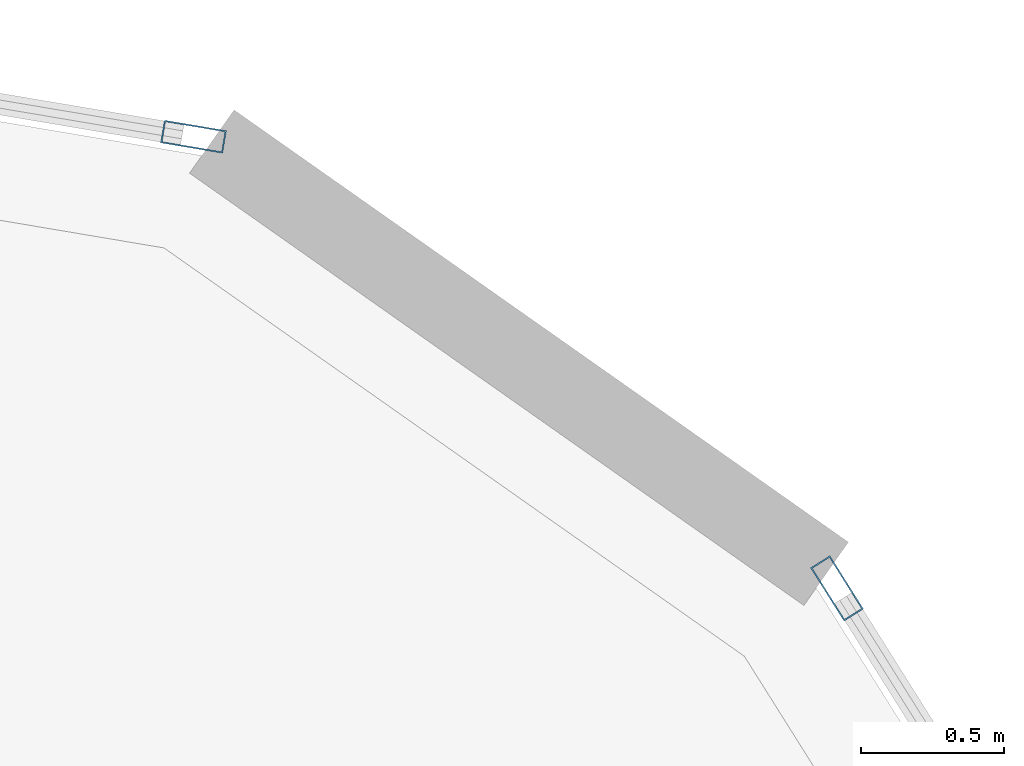
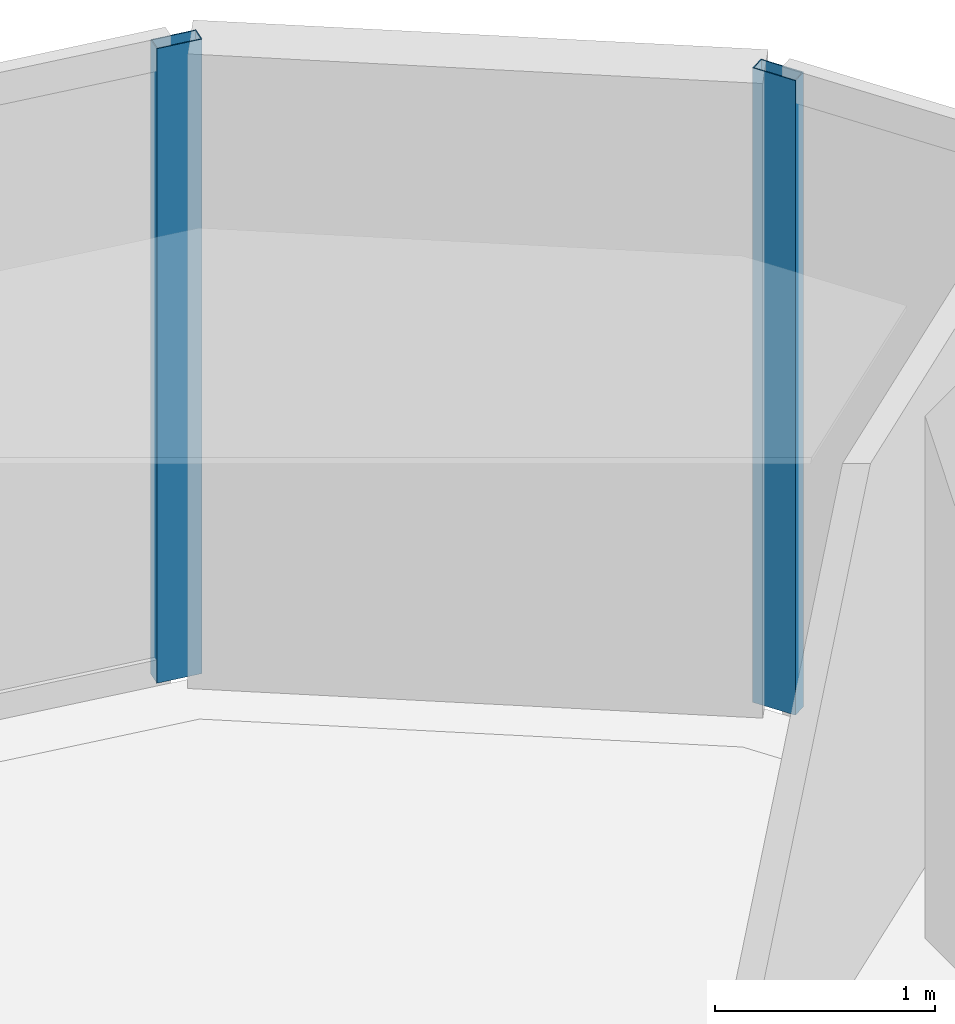
# One storey, part 15 of 21: 2 members, 2 elements without a shape of their own.
"""IFC4 building model written with IfcOpenShell, lengths in metres."""

from ifc_helpers import new_model, si_unit, direction, frame, origin, origin_2d, place, context, subcontext, project, spatial, hollow_rectangle, extrude, source, transform, mapped, material, layer, layer_set, material_profile, profile_set, type_object, type_shapes, element, aggregate, save


model = new_model("IFC4")

# Units and contexts
model_context = context("Model", 3, precision=1e-05, world=origin(), true_north=direction((0.0, 1.0)))
body_context = subcontext(model_context, "Body", "Model", "MODEL_VIEW")
ifc_project = project(units=[si_unit("LENGTHUNIT", "METRE"), si_unit("AREAUNIT", "SQUARE_METRE"), si_unit("VOLUMEUNIT", "CUBIC_METRE"), si_unit("PLANEANGLEUNIT", "RADIAN"), si_unit("MASSUNIT", "GRAM", prefix="KILO")], contexts=[model_context])

# Site, building, storey
site_placement = place(None, origin())
site = spatial("IfcSite", under=ifc_project, at=site_placement, CompositionType="ELEMENT")
building_placement = place(site_placement, origin())
building = spatial("IfcBuilding", under=site, at=building_placement, Name="Talar Marvaseh", CompositionType="ELEMENT")
storey_placement = place(building_placement, frame((0.0, 0.0, 62.0)))
storey = spatial("IfcBuildingStorey", under=building, at=storey_placement, Name="L15", CompositionType="ELEMENT", Elevation=62.0)

# Curtain wall, member
ifc_material = material(Name="Architectural Aluminium", Category="aluminium")
ifc_layer = layer(ifc_material, 0.219970703125)
ifc_layer_set = layer_set([ifc_layer], Name="Architectural Aluminium")
curtain_wall_type = type_object("IfcCurtainWallType", Name="Unitised Low-E Museum Curtain Wall Z1", PredefinedType="NOTDEFINED", material=ifc_layer_set)
curtain_wall_1_placement = place(storey_placement, origin())
curtain_wall_1 = element("IfcCurtainWall", 1, at=curtain_wall_1_placement, inside=storey, type_object=curtain_wall_type, Name="L15 Unitised Low-E Museum Curtain Wall Z1", PredefinedType="NOTDEFINED")
ifc_material_profile = material_profile(ifc_material, hollow_rectangle(XDim=0.080078125, YDim=0.219970703125, WallThickness=0.0048828125, at=origin_2d()), Name="RHS220x80x5")
ifc_profile_set = profile_set([ifc_material_profile], Name="Architectural Aluminium")
member_type = type_object("IfcMemberType", Name="Unitised Curtain Wall Heavy Mullion RHS220x80x5", PredefinedType="MULLION", material=ifc_profile_set)
shared_shape = source(origin(), body_context, "Body", "SweptSolid", [
    extrude(hollow_rectangle(XDim=0.080078125, YDim=0.219970703125, WallThickness=0.0048828125, at=origin_2d()), origin(), (0.0, 0.0, 1.0), 3.52001953125),
])
type_shapes(member_type, [shared_shape])
member_1_placement = place(storey_placement, frame((39.879638671875, 44.487548828125, 0.0), z_axis=(0.0, 0.0, 1.0), x_axis=(0.166215185742, 0.98608950508, 0.0)))
member_1 = element("IfcMember", 2, at=member_1_placement, type_object=member_type, Name="CW-Z1 mullion 5", PredefinedType="MULLION", context=body_context, shape_type="MappedRepresentation", body=[
    mapped(shared_shape, transform((0.0, 0.0, 0.0), x_axis=(1.0, 0.0, 0.0), y_axis=(0.0, 1.0, 0.0), z_axis=(0.0, 0.0, 1.0), scale=1.0)),
])
aggregate(curtain_wall_1, [member_1])

curtain_wall_2_placement = place(storey_placement, origin())
curtain_wall_2 = element("IfcCurtainWall", 3, at=curtain_wall_2_placement, inside=storey, type_object=curtain_wall_type, Name="L15 Unitised Low-E Museum Curtain Wall Z1", PredefinedType="NOTDEFINED")
member_2_placement = place(storey_placement, frame((42.126708984375, 42.91015625, 0.0), z_axis=(0.0, 0.0, 1.0), x_axis=(0.846622049872, 0.532194611651, 0.0)))
member_2 = element("IfcMember", 4, at=member_2_placement, type_object=member_type, Name="CW-Z1 mullion 1", PredefinedType="MULLION", context=body_context, shape_type="MappedRepresentation", body=[
    mapped(shared_shape, transform((0.0, 0.0, 0.0), x_axis=(1.0, 0.0, 0.0), y_axis=(0.0, 1.0, 0.0), z_axis=(0.0, 0.0, 1.0), scale=1.0)),
])
aggregate(curtain_wall_2, [member_2])

save(model, "model.ifc")
